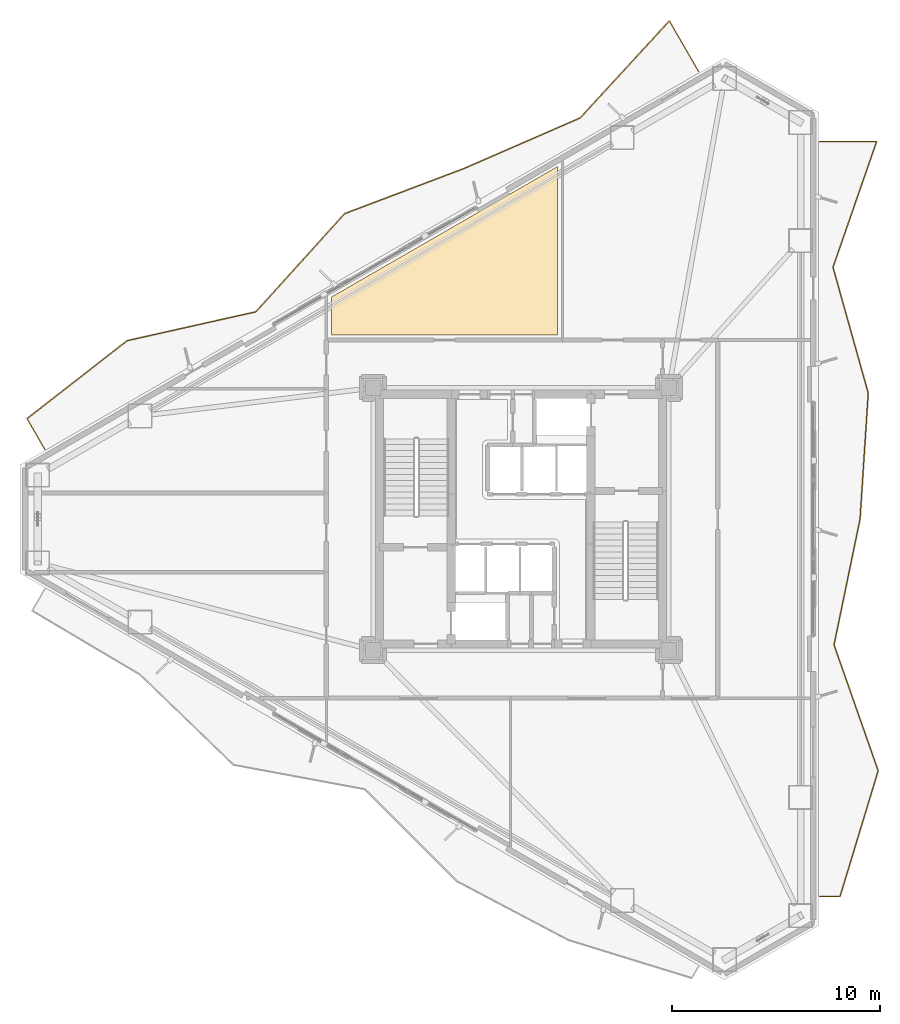
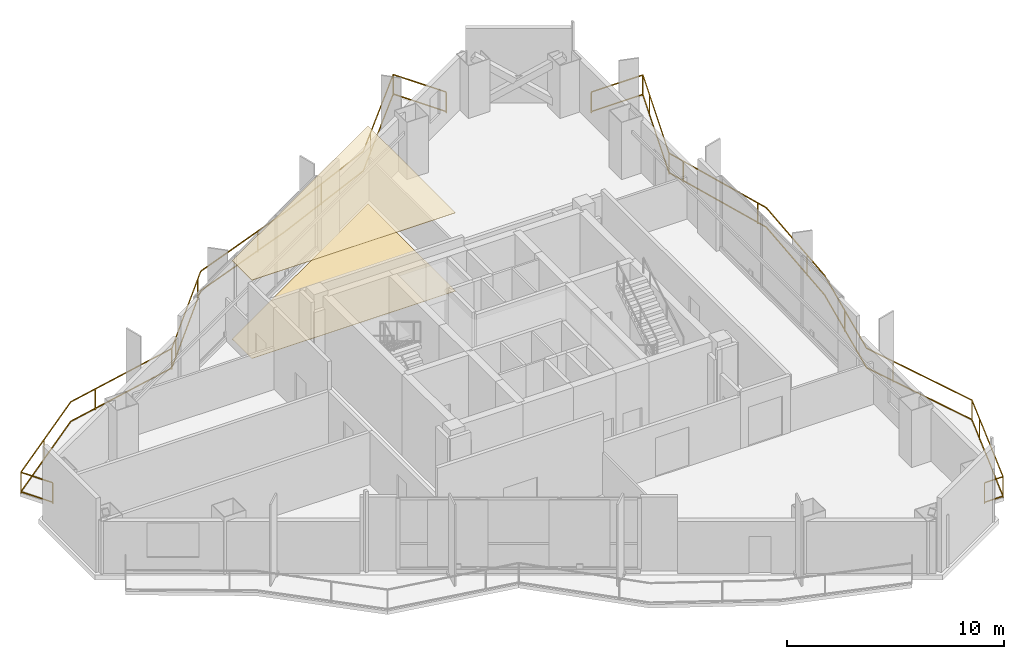
# One storey, part 20 of 20: 2 coverings, 2 railings.
"""IFC4 building model written with IfcOpenShell, lengths in metres."""

from ifc_helpers import new_model, si_unit, direction, frame, origin, origin_2d, place, context, subcontext, project, spatial, polyline, rectangle, outline, extrude, material, layer, layer_set, type_object, element, save


model = new_model("IFC4")

# Units and contexts
model_context = context("Model", 3, precision=1e-05, world=origin(), true_north=direction((0.0, 1.0)))
body_context = subcontext(model_context, "Body", "Model", "MODEL_VIEW")
ifc_project = project(units=[si_unit("LENGTHUNIT", "METRE"), si_unit("AREAUNIT", "SQUARE_METRE"), si_unit("VOLUMEUNIT", "CUBIC_METRE"), si_unit("PLANEANGLEUNIT", "RADIAN"), si_unit("MASSUNIT", "GRAM", prefix="KILO")], contexts=[model_context])

# Site, building, storey
site_placement = place(None, origin())
site = spatial("IfcSite", under=ifc_project, at=site_placement, CompositionType="ELEMENT")
building_placement = place(site_placement, origin())
building = spatial("IfcBuilding", under=site, at=building_placement, Name="Mersakhor Tower and Convention Hall", CompositionType="ELEMENT")
storey_placement = place(building_placement, frame((0.0, 0.0, 116.39990234375)))
storey = spatial("IfcBuildingStorey", under=building, at=storey_placement, Name="L32", CompositionType="ELEMENT", Elevation=116.39990234375)

# Coverings
ifc_material_1 = material(Name="Acoustic mineral-fibre suspended ceiling", Category="other")
ifc_layer_1 = layer(ifc_material_1, 0.02490234375)
ifc_layer_set_1 = layer_set([ifc_layer_1], Name="Acoustic mineral-fibre suspended ceiling")
covering_type_1 = type_object("IfcCoveringType", Name="COV-CLG-25", PredefinedType="CEILING", material=ifc_layer_set_1)
covering_1_placement = place(storey_placement, frame((0.0, 0.0, 4.400146484375)))
element("IfcCovering", 1, at=covering_1_placement, inside=storey, type_object=covering_type_1, Name="L32 Sky-Lobby Transfer Arrival Concourse Acoustic Suspended Ceiling", PredefinedType="CEILING", context=body_context, shape_type="SweptSolid", body=[
    extrude(outline(polyline([(30.75, 35.60009765625), (19.89990234375, 35.60009765625), (19.89990234375, 37.413818359375), (30.75, 43.677001953125), (30.75, 35.60009765625)])), origin(), (0.0, 0.0, 1.0), 0.02490234375),
])
ifc_material_2 = material(Name="Polished porcelain tile flooring", Category="other")
ifc_layer_2 = layer(ifc_material_2, 0.02001953125)
ifc_layer_set_2 = layer_set([ifc_layer_2], Name="Polished porcelain tile flooring")
covering_type_2 = type_object("IfcCoveringType", Name="COV-FLR-20", PredefinedType="FLOORING", material=ifc_layer_set_2)
covering_2_placement = place(storey_placement, origin())
element("IfcCovering", 2, at=covering_2_placement, inside=storey, type_object=covering_type_2, Name="L32 Sky-Lobby Transfer Arrival Concourse Porcelain Floor Finish", PredefinedType="FLOORING", context=body_context, shape_type="SweptSolid", body=[
    extrude(outline(polyline([(30.75, 35.60009765625), (19.89990234375, 35.60009765625), (19.89990234375, 37.413818359375), (30.75, 43.677001953125), (30.75, 35.60009765625)])), origin(), (0.0, 0.0, 1.0), 0.02001953125),
])

# Railings
ifc_material_3 = material(Name="Powder-coated galvanised steel and laminated glass balustrade", Category="steel")
railing_type = type_object("IfcRailingType", Name="RL-BAL-1200", PredefinedType="BALUSTRADE", material=ifc_material_3)
railing_1_placement = place(storey_placement, frame((37.541259765625, 48.2333984375, 0.0)))
element("IfcRailing", 3, at=railing_1_placement, inside=storey, type_object=railing_type, Name="L32 Sinusoidal Balcony Balustrade F1", PredefinedType="BALUSTRADE", context=body_context, shape_type="SweptSolid", body=[
    extrude(rectangle(XDim=0.048095703125, YDim=0.048095703125, at=origin_2d()), frame((0.0, 0.0, 1.17578125), z_axis=(-0.499947271324, 0.866055844559, 0.0), x_axis=(-0.866055844559, -0.499947271324, 0.0)), (0.0, 0.0, 1.0), 2.820068359375),
    extrude(rectangle(XDim=0.048095703125, YDim=0.048095703125, at=origin_2d()), frame((0.0, 0.0, 0.080078125), z_axis=(-0.499947271324, 0.866055844559, 0.0), x_axis=(-0.866055844559, -0.499947271324, 0.0)), (0.0, 0.0, 1.0), 2.820068359375),
    extrude(rectangle(XDim=0.048095703125, YDim=0.048095703125, at=origin_2d()), frame((-1.409912109375, 2.4423828125, 1.17578125), z_axis=(-0.676915448921, -0.736060782145, 0.0), x_axis=(0.736060782145, -0.676915448921, 0.0)), (0.0, 0.0, 1.0), 6.336181640625),
    extrude(rectangle(XDim=0.048095703125, YDim=0.048095703125, at=origin_2d()), frame((-1.409912109375, 2.4423828125, 0.080078125), z_axis=(-0.676915448921, -0.736060782145, 0.0), x_axis=(0.736060782145, -0.676915448921, 0.0)), (0.0, 0.0, 1.0), 6.336181640625),
    extrude(rectangle(XDim=0.048095703125, YDim=0.048095703125, at=origin_2d()), frame((-5.698974609375, -2.221435546875, 1.17578125), z_axis=(-0.916916266869, -0.399079640612, 0.0), x_axis=(0.399079640612, -0.916916266869, 0.0)), (0.0, 0.0, 1.0), 6.085205078125),
    extrude(rectangle(XDim=0.048095703125, YDim=0.048095703125, at=origin_2d()), frame((-5.698974609375, -2.221435546875, 0.080078125), z_axis=(-0.916916266869, -0.399079640612, 0.0), x_axis=(0.399079640612, -0.916916266869, 0.0)), (0.0, 0.0, 1.0), 6.085205078125),
    extrude(rectangle(XDim=0.048095703125, YDim=0.048095703125, at=origin_2d()), frame((-11.278564453125, -4.64990234375, 1.17578125), z_axis=(-0.935356110178, -0.353707431576, 0.0), x_axis=(0.353707431576, -0.935356110178, 0.0)), (0.0, 0.0, 1.0), 6.12646484375),
    extrude(rectangle(XDim=0.048095703125, YDim=0.048095703125, at=origin_2d()), frame((-11.278564453125, -4.64990234375, 0.080078125), z_axis=(-0.935356110178, -0.353707431576, 0.0), x_axis=(0.353707431576, -0.935356110178, 0.0)), (0.0, 0.0, 1.0), 6.12646484375),
    extrude(rectangle(XDim=0.048095703125, YDim=0.048095703125, at=origin_2d()), frame((-17.009033203125, -6.81689453125, 1.17578125), z_axis=(-0.670665749113, -0.741759700285, 0.0), x_axis=(0.741759700285, -0.670665749113, 0.0)), (0.0, 0.0, 1.0), 6.35302734375),
    extrude(rectangle(XDim=0.048095703125, YDim=0.048095703125, at=origin_2d()), frame((-17.009033203125, -6.81689453125, 0.080078125), z_axis=(-0.670665749113, -0.741759700285, 0.0), x_axis=(0.741759700285, -0.670665749113, 0.0)), (0.0, 0.0, 1.0), 6.35302734375),
    extrude(rectangle(XDim=0.048095703125, YDim=0.048095703125, at=origin_2d()), frame((-21.269775390625, -11.529296875, 1.17578125), z_axis=(-0.975746163918, -0.218905056128, 0.0), x_axis=(0.218905056128, -0.975746163918, 0.0)), (0.0, 0.0, 1.0), 6.334716796875),
    extrude(rectangle(XDim=0.048095703125, YDim=0.048095703125, at=origin_2d()), frame((-21.269775390625, -11.529296875, 0.080078125), z_axis=(-0.975746163918, -0.218905056128, 0.0), x_axis=(0.218905056128, -0.975746163918, 0.0)), (0.0, 0.0, 1.0), 6.334716796875),
    extrude(rectangle(XDim=0.048095703125, YDim=0.048095703125, at=origin_2d()), frame((-27.450927734375, -12.916015625, 1.17578125), z_axis=(-0.788988121056, -0.614408451141, 0.0), x_axis=(0.614408451141, -0.788988121056, 0.0)), (0.0, 0.0, 1.0), 6.104248046875),
    extrude(rectangle(XDim=0.048095703125, YDim=0.048095703125, at=origin_2d()), frame((-27.450927734375, -12.916015625, 0.080078125), z_axis=(-0.788988121056, -0.614408451141, 0.0), x_axis=(0.614408451141, -0.788988121056, 0.0)), (0.0, 0.0, 1.0), 6.104248046875),
    extrude(rectangle(XDim=0.048095703125, YDim=0.048095703125, at=origin_2d()), frame((-32.26708984375, -16.66650390625, 1.17578125), z_axis=(0.499954529098, -0.86605165483, 0.0), x_axis=(0.86605165483, 0.499954529098, 0.0)), (0.0, 0.0, 1.0), 1.699951171875),
    extrude(rectangle(XDim=0.048095703125, YDim=0.048095703125, at=origin_2d()), frame((-32.26708984375, -16.66650390625, 0.080078125), z_axis=(0.499954529098, -0.86605165483, 0.0), x_axis=(0.86605165483, 0.499954529098, 0.0)), (0.0, 0.0, 1.0), 1.699951171875),
    extrude(rectangle(XDim=0.0419921875, YDim=0.0419921875, at=origin_2d()), origin(), (0.0, 0.0, 1.0), 1.15185546875),
    extrude(rectangle(XDim=0.0419921875, YDim=0.0419921875, at=origin_2d()), frame((-1.409912109375, 2.4423828125, 0.0)), (0.0, 0.0, 1.0), 1.15185546875),
    extrude(rectangle(XDim=0.0419921875, YDim=0.0419921875, at=origin_2d()), frame((-4.6591796875, -1.0908203125, 0.0)), (0.0, 0.0, 1.0), 1.15185546875),
    extrude(rectangle(XDim=0.0419921875, YDim=0.0419921875, at=origin_2d()), frame((-8.691650390625, -3.52392578125, 0.0)), (0.0, 0.0, 1.0), 1.15185546875),
    extrude(rectangle(XDim=0.0419921875, YDim=0.0419921875, at=origin_2d()), frame((-13.12939453125, -5.349853515625, 0.0)), (0.0, 0.0, 1.0), 1.15185546875),
    extrude(rectangle(XDim=0.0419921875, YDim=0.0419921875, at=origin_2d()), frame((-17.4462890625, -7.300537109375, 0.0)), (0.0, 0.0, 1.0), 1.15185546875),
    extrude(rectangle(XDim=0.0419921875, YDim=0.0419921875, at=origin_2d()), frame((-20.66552734375, -10.861083984375, 0.0)), (0.0, 0.0, 1.0), 1.15185546875),
    extrude(rectangle(XDim=0.0419921875, YDim=0.0419921875, at=origin_2d()), frame((-21.269775390625, -11.529296875, 0.0)), (0.0, 0.0, 1.0), 1.15185546875),
    extrude(rectangle(XDim=0.0419921875, YDim=0.0419921875, at=origin_2d()), frame((-25.953369140625, -12.580078125, 0.0)), (0.0, 0.0, 1.0), 1.15185546875),
    extrude(rectangle(XDim=0.0419921875, YDim=0.0419921875, at=origin_2d()), frame((-30.027099609375, -14.922119140625, 0.0)), (0.0, 0.0, 1.0), 1.15185546875),
    extrude(rectangle(XDim=0.0419921875, YDim=0.0419921875, at=origin_2d()), frame((-32.26708984375, -16.66650390625, 0.0)), (0.0, 0.0, 1.0), 1.15185546875),
    extrude(rectangle(XDim=0.0419921875, YDim=0.0419921875, at=origin_2d()), frame((-31.417236328125, -18.138671875, 0.0)), (0.0, 0.0, 1.0), 1.15185546875),
])
railing_2_placement = place(storey_placement, frame((43.334716796875, 8.611328125, 0.0)))
element("IfcRailing", 4, at=railing_2_placement, inside=storey, type_object=railing_type, Name="L32 Sinusoidal Balcony Balustrade F2", PredefinedType="BALUSTRADE", context=body_context, shape_type="SweptSolid", body=[
    extrude(rectangle(XDim=0.048095703125, YDim=0.048095703125, at=origin_2d()), frame((0.0, 0.0, 1.17578125), z_axis=(1.0, 0.0, 0.0), x_axis=(0.0, 1.0, 0.0)), (0.0, 0.0, 1.0), 0.984619140625),
    extrude(rectangle(XDim=0.048095703125, YDim=0.048095703125, at=origin_2d()), frame((0.0, 0.0, 0.080078125), z_axis=(1.0, 0.0, 0.0), x_axis=(0.0, 1.0, 0.0)), (0.0, 0.0, 1.0), 0.984619140625),
    extrude(rectangle(XDim=0.048095703125, YDim=0.048095703125, at=origin_2d()), frame((0.984619140625, 0.0, 1.17578125), z_axis=(0.290448120216, 0.956890740609, 0.0), x_axis=(-0.956890740609, 0.290448120216, 0.0)), (0.0, 0.0, 1.0), 6.318603515625),
    extrude(rectangle(XDim=0.048095703125, YDim=0.048095703125, at=origin_2d()), frame((0.984619140625, 0.0, 0.080078125), z_axis=(0.290448120216, 0.956890740609, 0.0), x_axis=(-0.956890740609, 0.290448120216, 0.0)), (0.0, 0.0, 1.0), 6.318603515625),
    extrude(rectangle(XDim=0.048095703125, YDim=0.048095703125, at=origin_2d()), frame((2.81982421875, 6.046142578125, 1.17578125), z_axis=(-0.33102581435, 0.943621698687, 0.0), x_axis=(-0.943621698687, -0.33102581435, 0.0)), (0.0, 0.0, 1.0), 6.40771484375),
    extrude(rectangle(XDim=0.048095703125, YDim=0.048095703125, at=origin_2d()), frame((2.81982421875, 6.046142578125, 0.080078125), z_axis=(-0.33102581435, 0.943621698687, 0.0), x_axis=(-0.943621698687, -0.33102581435, 0.0)), (0.0, 0.0, 1.0), 6.40771484375),
    extrude(rectangle(XDim=0.048095703125, YDim=0.048095703125, at=origin_2d()), frame((0.69873046875, 12.092529296875, 1.17578125), z_axis=(0.202499688939, 0.979282327003, 0.0), x_axis=(-0.979282327003, 0.202499688939, 0.0)), (0.0, 0.0, 1.0), 6.174072265625),
    extrude(rectangle(XDim=0.048095703125, YDim=0.048095703125, at=origin_2d()), frame((0.69873046875, 12.092529296875, 0.080078125), z_axis=(0.202499688939, 0.979282327003, 0.0), x_axis=(-0.979282327003, 0.202499688939, 0.0)), (0.0, 0.0, 1.0), 6.174072265625),
    extrude(rectangle(XDim=0.048095703125, YDim=0.048095703125, at=origin_2d()), frame((1.948974609375, 18.138671875, 1.17578125), z_axis=(0.06495440466, 0.997888232877, 0.0), x_axis=(-0.997888232877, 0.06495440466, 0.0)), (0.0, 0.0, 1.0), 6.058837890625),
    extrude(rectangle(XDim=0.048095703125, YDim=0.048095703125, at=origin_2d()), frame((1.948974609375, 18.138671875, 0.080078125), z_axis=(0.06495440466, 0.997888232877, 0.0), x_axis=(-0.997888232877, 0.06495440466, 0.0)), (0.0, 0.0, 1.0), 6.058837890625),
    extrude(rectangle(XDim=0.048095703125, YDim=0.048095703125, at=origin_2d()), frame((2.342529296875, 24.184814453125, 1.17578125), z_axis=(-0.269576561795, 0.962978959963, 0.0), x_axis=(-0.962978959963, -0.269576561795, 0.0)), (0.0, 0.0, 1.0), 6.27880859375),
    extrude(rectangle(XDim=0.048095703125, YDim=0.048095703125, at=origin_2d()), frame((2.342529296875, 24.184814453125, 0.080078125), z_axis=(-0.269576561795, 0.962978959963, 0.0), x_axis=(-0.962978959963, -0.269576561795, 0.0)), (0.0, 0.0, 1.0), 6.27880859375),
    extrude(rectangle(XDim=0.048095703125, YDim=0.048095703125, at=origin_2d()), frame((0.64990234375, 30.231201171875, 1.17578125), z_axis=(0.327808836432, 0.94474407474, 0.0), x_axis=(-0.94474407474, 0.327808836432, 0.0)), (0.0, 0.0, 1.0), 6.399658203125),
    extrude(rectangle(XDim=0.048095703125, YDim=0.048095703125, at=origin_2d()), frame((0.64990234375, 30.231201171875, 0.080078125), z_axis=(0.327808836432, 0.94474407474, 0.0), x_axis=(-0.94474407474, 0.327808836432, 0.0)), (0.0, 0.0, 1.0), 6.399658203125),
    extrude(rectangle(XDim=0.048095703125, YDim=0.048095703125, at=origin_2d()), frame((2.747802734375, 36.27734375, 1.17578125), z_axis=(-1.0, 0.0, 0.0), x_axis=(0.0, -1.0, 0.0)), (0.0, 0.0, 1.0), 2.747802734375),
    extrude(rectangle(XDim=0.048095703125, YDim=0.048095703125, at=origin_2d()), frame((2.747802734375, 36.27734375, 0.080078125), z_axis=(-1.0, 0.0, 0.0), x_axis=(0.0, -1.0, 0.0)), (0.0, 0.0, 1.0), 2.747802734375),
    extrude(rectangle(XDim=0.0419921875, YDim=0.0419921875, at=origin_2d()), origin(), (0.0, 0.0, 1.0), 1.15185546875),
    extrude(rectangle(XDim=0.0419921875, YDim=0.0419921875, at=origin_2d()), frame((0.984619140625, 0.0, 0.0)), (0.0, 0.0, 1.0), 1.15185546875),
    extrude(rectangle(XDim=0.0419921875, YDim=0.0419921875, at=origin_2d()), frame((2.378662109375, 4.593017578125, 0.0)), (0.0, 0.0, 1.0), 1.15185546875),
    extrude(rectangle(XDim=0.0419921875, YDim=0.0419921875, at=origin_2d()), frame((2.81982421875, 6.046142578125, 0.0)), (0.0, 0.0, 1.0), 1.15185546875),
    extrude(rectangle(XDim=0.0419921875, YDim=0.0419921875, at=origin_2d()), frame((1.23095703125, 10.575439453125, 0.0)), (0.0, 0.0, 1.0), 1.15185546875),
    extrude(rectangle(XDim=0.0419921875, YDim=0.0419921875, at=origin_2d()), frame((1.34521484375, 15.21875, 0.0)), (0.0, 0.0, 1.0), 1.15185546875),
    extrude(rectangle(XDim=0.0419921875, YDim=0.0419921875, at=origin_2d()), frame((2.067138671875, 19.953125, 0.0)), (0.0, 0.0, 1.0), 1.15185546875),
    extrude(rectangle(XDim=0.0419921875, YDim=0.0419921875, at=origin_2d()), frame((2.191650390625, 24.723388671875, 0.0)), (0.0, 0.0, 1.0), 1.15185546875),
    extrude(rectangle(XDim=0.0419921875, YDim=0.0419921875, at=origin_2d()), frame((0.897705078125, 29.345703125, 0.0)), (0.0, 0.0, 1.0), 1.15185546875),
    extrude(rectangle(XDim=0.0419921875, YDim=0.0419921875, at=origin_2d()), frame((0.64990234375, 30.231201171875, 0.0)), (0.0, 0.0, 1.0), 1.15185546875),
    extrude(rectangle(XDim=0.0419921875, YDim=0.0419921875, at=origin_2d()), frame((2.223388671875, 34.765869140625, 0.0)), (0.0, 0.0, 1.0), 1.15185546875),
    extrude(rectangle(XDim=0.0419921875, YDim=0.0419921875, at=origin_2d()), frame((2.747802734375, 36.27734375, 0.0)), (0.0, 0.0, 1.0), 1.15185546875),
    extrude(rectangle(XDim=0.0419921875, YDim=0.0419921875, at=origin_2d()), frame((0.0, 36.27734375, 0.0)), (0.0, 0.0, 1.0), 1.15185546875),
])

save(model, "model.ifc")
